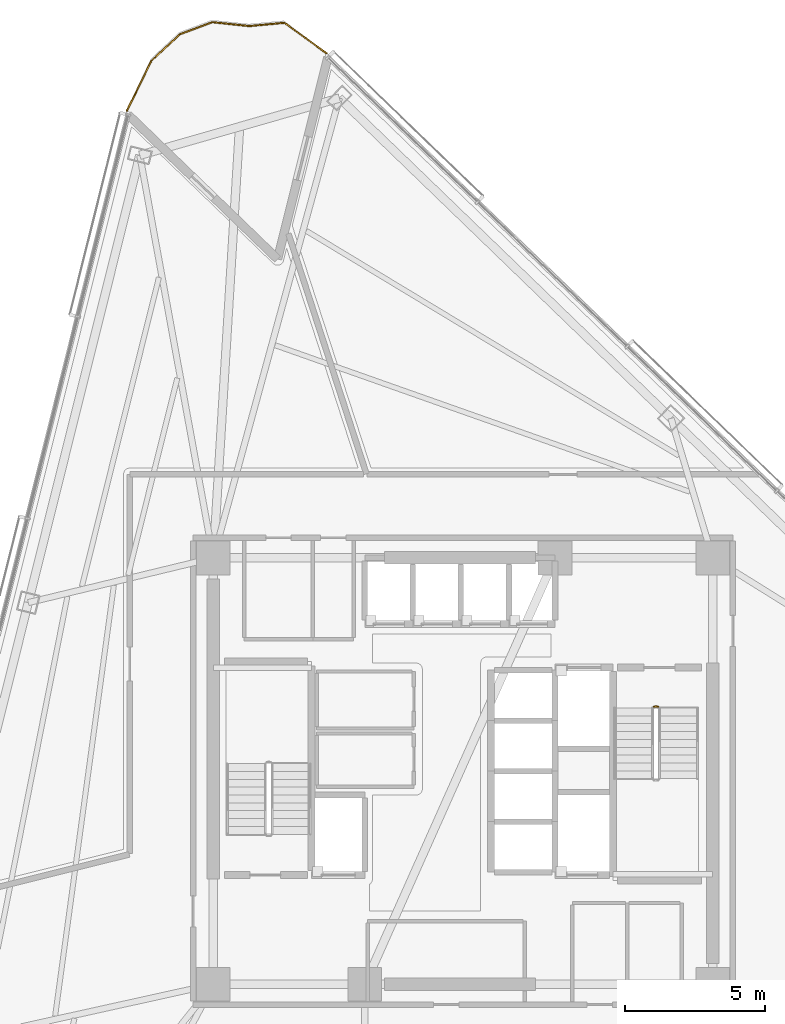
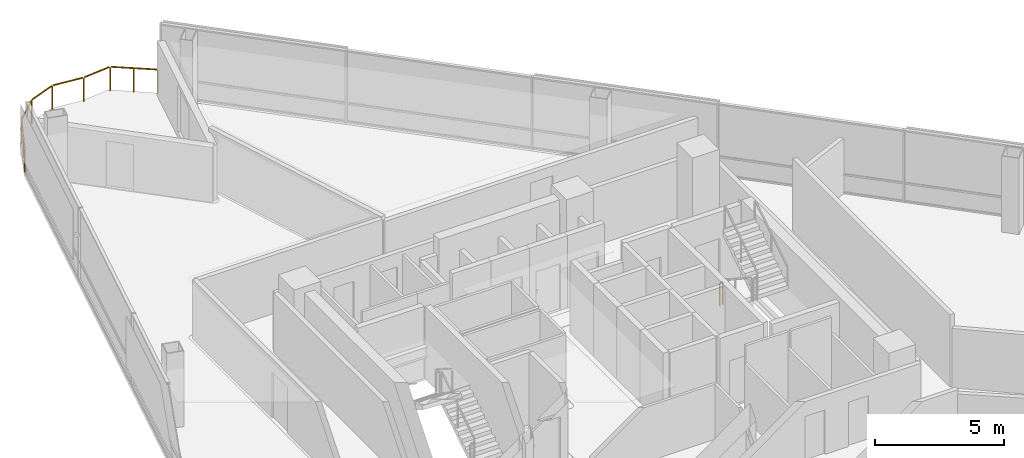
# One storey, part 17 of 18: 2 railings.
"""IFC4 building model written with IfcOpenShell, lengths in metres."""

from ifc_helpers import new_model, si_unit, direction, frame, origin, origin_2d, place, context, subcontext, project, spatial, rectangle, extrude, material, type_object, element, save


model = new_model("IFC4")

# Units and contexts
model_context = context("Model", 3, precision=1e-05, world=origin(), true_north=direction((0.0, 1.0)))
body_context = subcontext(model_context, "Body", "Model", "MODEL_VIEW")
ifc_project = project(units=[si_unit("LENGTHUNIT", "METRE"), si_unit("AREAUNIT", "SQUARE_METRE"), si_unit("VOLUMEUNIT", "CUBIC_METRE"), si_unit("PLANEANGLEUNIT", "RADIAN"), si_unit("MASSUNIT", "GRAM", prefix="KILO")], contexts=[model_context])

# Site, building, storey
site_placement = place(None, origin())
site = spatial("IfcSite", under=ifc_project, at=site_placement, CompositionType="ELEMENT")
building_placement = place(site_placement, origin())
building = spatial("IfcBuilding", under=site, at=building_placement, Name="Tharavind Bronze Gate", CompositionType="ELEMENT")
storey_placement = place(building_placement, frame((0.0, 0.0, 100.5)))
storey = spatial("IfcBuildingStorey", under=building, at=storey_placement, Name="L25", CompositionType="ELEMENT", Elevation=100.5)

# Railings
ifc_material_1 = material(Name="Brushed Bronze Alloy", Category="metal")
railing_type_1 = type_object("IfcRailingType", Name="STAIR WELL GUARD RAILING 1120", PredefinedType="GUARDRAIL", material=ifc_material_1)
railing_1_placement = place(storey_placement, frame((6.800048828125, 2.300048828125, 0.0)))
element("IfcRailing", 1, at=railing_1_placement, inside=storey, type_object=railing_type_1, Name="L25 ST2 stair guard 4", PredefinedType="GUARDRAIL", context=body_context, shape_type="SweptSolid", body=[
    extrude(rectangle(XDim=0.048095703125, YDim=0.048095703125, at=origin_2d()), frame((0.031982421875, 0.0, 1.09619140625), z_axis=(1.0, 0.0, 0.0), x_axis=(0.0, 1.0, 0.0)), (0.0, 0.0, 1.0), 0.0859375),
    extrude(rectangle(XDim=0.0400390625, YDim=0.0400390625, at=origin_2d()), origin(), (0.0, 0.0, 1.0), 1.068115234375),
    extrude(rectangle(XDim=0.0400390625, YDim=0.0400390625, at=origin_2d()), frame((0.14990234375, 0.0, 0.0)), (0.0, 0.0, 1.0), 1.068115234375),
])
ifc_material_2 = material(Name="Bronze Cap & Laminated Glass", Category="glass")
railing_type_2 = type_object("IfcRailingType", Name="TERRACE GLASS GUARD RAILING 1150", PredefinedType="GUARDRAIL", material=ifc_material_2)
railing_2_placement = place(storey_placement, frame((-11.977783203125, 23.548095703125, 0.0)))
element("IfcRailing", 2, at=railing_2_placement, inside=storey, type_object=railing_type_2, Name="L25 tree balcony guard railing", PredefinedType="GUARDRAIL", context=body_context, shape_type="SweptSolid", body=[
    extrude(rectangle(XDim=0.048095703125, YDim=0.048095703125, at=origin_2d()), frame((0.01416015625, 0.02880859375, 1.1259765625), z_axis=(0.441156065907, 0.897430401487, 0.0), x_axis=(-0.897430401487, 0.441156065907, 0.0)), (0.0, 0.0, 1.0), 1.90625),
    extrude(rectangle(XDim=0.048095703125, YDim=0.048095703125, at=origin_2d()), frame((0.892578125, 1.7900390625, 1.1259765625), z_axis=(0.730328135608, 0.683096489772, 0.0), x_axis=(-0.683096489772, 0.730328135608, 0.0)), (0.0, 0.0, 1.0), 1.3212890625),
    extrude(rectangle(XDim=0.048095703125, YDim=0.048095703125, at=origin_2d()), frame((1.910888671875, 2.7255859375, 1.1259765625), z_axis=(0.936134406694, 0.351642393071, 0.0), x_axis=(-0.351642393071, 0.936134406694, 0.0)), (0.0, 0.0, 1.0), 1.17333984375),
    extrude(rectangle(XDim=0.048095703125, YDim=0.048095703125, at=origin_2d()), frame((3.07080078125, 3.14599609375, 1.1259765625), z_axis=(0.994513494848, -0.104608358011, 0.0), x_axis=(0.104608358011, 0.994513494848, 0.0)), (0.0, 0.0, 1.0), 1.266357421875),
    extrude(rectangle(XDim=0.048095703125, YDim=0.048095703125, at=origin_2d()), frame((4.393798828125, 3.01318359375, 1.1259765625), z_axis=(0.995611027897, 0.093587825761, 0.0), x_axis=(-0.093587825761, 0.995611027897, 0.0)), (0.0, 0.0, 1.0), 1.190673828125),
    extrude(rectangle(XDim=0.048095703125, YDim=0.048095703125, at=origin_2d()), frame((5.63720703125, 3.10888671875, 1.1259765625), z_axis=(0.809873110724, -0.586605101006, 0.0), x_axis=(0.586605101006, 0.809873110724, 0.0)), (0.0, 0.0, 1.0), 1.79052734375),
    extrude(rectangle(XDim=0.0400390625, YDim=0.0400390625, at=origin_2d()), origin(), (0.0, 0.0, 1.0), 1.097900390625),
    extrude(rectangle(XDim=0.0400390625, YDim=0.0400390625, at=origin_2d()), frame((0.4345703125, 0.884033203125, 0.0)), (0.0, 0.0, 1.0), 1.097900390625),
    extrude(rectangle(XDim=0.0400390625, YDim=0.0400390625, at=origin_2d()), frame((0.869140625, 1.76806640625, 0.0)), (0.0, 0.0, 1.0), 1.097900390625),
    extrude(rectangle(XDim=0.0400390625, YDim=0.0400390625, at=origin_2d()), frame((1.880859375, 2.71435546875, 0.0)), (0.0, 0.0, 1.0), 1.097900390625),
    extrude(rectangle(XDim=0.0400390625, YDim=0.0400390625, at=origin_2d()), frame((3.0390625, 3.1494140625, 0.0)), (0.0, 0.0, 1.0), 1.097900390625),
    extrude(rectangle(XDim=0.0400390625, YDim=0.0400390625, at=origin_2d()), frame((4.362060546875, 3.01025390625, 0.0)), (0.0, 0.0, 1.0), 1.097900390625),
    extrude(rectangle(XDim=0.0400390625, YDim=0.0400390625, at=origin_2d()), frame((5.611328125, 3.127685546875, 0.0)), (0.0, 0.0, 1.0), 1.097900390625),
    extrude(rectangle(XDim=0.0400390625, YDim=0.0400390625, at=origin_2d()), frame((6.3623046875, 2.583740234375, 0.0)), (0.0, 0.0, 1.0), 1.097900390625),
    extrude(rectangle(XDim=0.0400390625, YDim=0.0400390625, at=origin_2d()), frame((7.11328125, 2.039794921875, 0.0)), (0.0, 0.0, 1.0), 1.097900390625),
])

save(model, "model.ifc")
